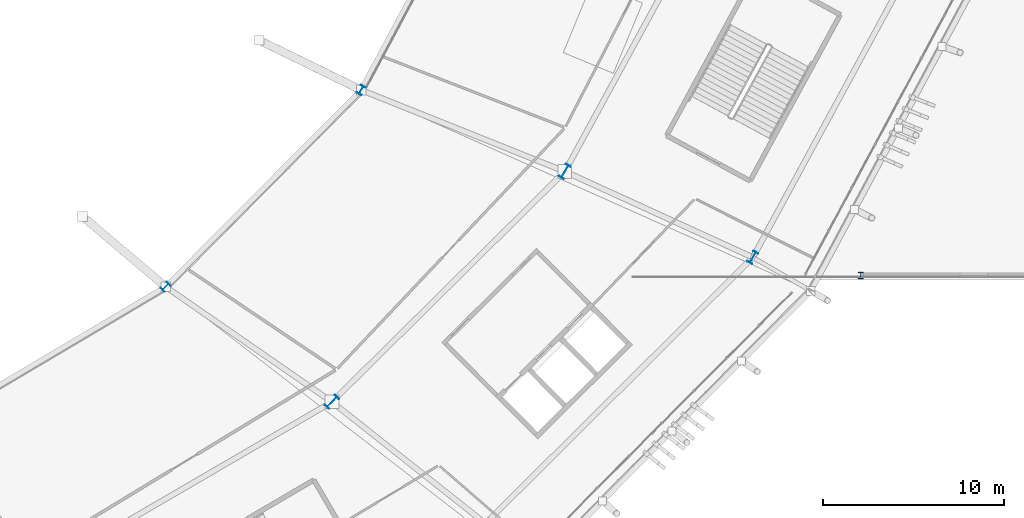
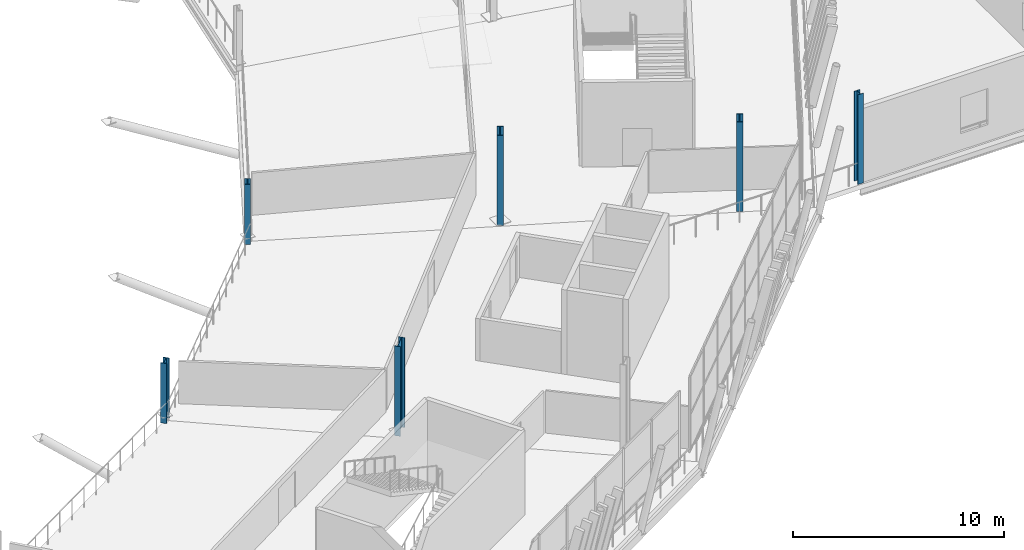
# One storey, part 10 of 168: 6 columns.
"""IFC4 building model written with IfcOpenShell, lengths in metres."""

from ifc_helpers import new_model, si_unit, direction, frame, origin, origin_2d, place, context, subcontext, project, spatial, i_section, extrude, material, material_profile, profile_set, type_object, element, save


model = new_model("IFC4")

# Units and contexts
model_context = context("Model", 3, precision=1e-05, world=origin(), true_north=direction((0.0, 1.0)))
body_context = subcontext(model_context, "Body", "Model", "MODEL_VIEW")
ifc_project = project(units=[si_unit("LENGTHUNIT", "METRE"), si_unit("AREAUNIT", "SQUARE_METRE"), si_unit("VOLUMEUNIT", "CUBIC_METRE"), si_unit("PLANEANGLEUNIT", "RADIAN"), si_unit("MASSUNIT", "GRAM", prefix="KILO")], contexts=[model_context])

# Site, building, storey
site_placement = place(None, origin())
site = spatial("IfcSite", under=ifc_project, at=site_placement, CompositionType="ELEMENT")
building_placement = place(site_placement, origin())
building = spatial("IfcBuilding", under=site, at=building_placement, Name="Zlatoyarsky Gate Stadium", CompositionType="ELEMENT")
storey_placement = place(building_placement, frame((0.0, 0.0, 15.60009765625)))
storey = spatial("IfcBuildingStorey", under=building, at=storey_placement, Name="L03", CompositionType="ELEMENT", Elevation=15.60009765625)

# Columns
ifc_material = material(Name="Steel S355", Category="steel")
ifc_material_profile_1 = material_profile(ifc_material, i_section(OverallWidth=0.300048828125, OverallDepth=0.360107421875, WebThickness=0.012451171875, FlangeThickness=0.0224609375, FilletRadius=0.027099609375, at=origin_2d()), Name="HEB 360")
ifc_profile_set_1 = profile_set([ifc_material_profile_1], Name="Steel S355")
column_type_1 = type_object("IfcColumnType", Name="STEEL COLUMN HEB 360", PredefinedType="COLUMN", material=ifc_profile_set_1)
column_1_placement = place(storey_placement, frame((197.5, 43.5, 0.0), z_axis=(0.0, 0.0, 1.0), x_axis=(1.0, 0.0, 0.0)))
element("IfcColumn", 1, at=column_1_placement, inside=storey, type_object=column_type_1, Name="Column ST-C360 WG-17-E on L03", PredefinedType="COLUMN", context=body_context, shape_type="SweptSolid", body=[
    extrude(i_section(OverallWidth=0.300048828125, OverallDepth=0.360107421875, WebThickness=0.012451171875, FlangeThickness=0.0224609375, FilletRadius=0.027099609375, at=origin_2d()), origin(), (0.0, 0.0, 1.0), 5.199951171875),
])
ifc_material_profile_2 = material_profile(ifc_material, i_section(OverallWidth=0.300048828125, OverallDepth=0.5, WebThickness=0.014404296875, FlangeThickness=0.028076171875, FilletRadius=0.027099609375, at=origin_2d()), Name="HEB 500")
ifc_profile_set_2 = profile_set([ifc_material_profile_2], Name="Steel S355")
column_type_2 = type_object("IfcColumnType", Name="STEEL COLUMN HEB 500", PredefinedType="COLUMN", material=ifc_profile_set_2)
for number, where, z_axis, x_axis, name in (
    (2, (159.083251953125, 42.876953125, 0.0), (0.0, 0.0, 1.0), (0.707106781187, -0.707106781187, 0.0), "Column ST-C500 RA-21 on L03"),
    (3, (169.8896484375, 53.75, 0.0), (0.0, 0.0, 1.0), (0.866025403784, -0.5, 0.0), "Column ST-C500 RA-22 on L03"),
):
    element("IfcColumn", number, at=place(storey_placement, frame(where, z_axis=z_axis, x_axis=x_axis)), inside=storey, type_object=column_type_2, Name=name, PredefinedType="COLUMN", context=body_context, shape_type="SweptSolid", body=[
        extrude(i_section(OverallWidth=0.300048828125, OverallDepth=0.5, WebThickness=0.014404296875, FlangeThickness=0.028076171875, FilletRadius=0.027099609375, at=origin_2d()), origin(), (0.0, 0.0, 1.0), 3.47998046875),
    ])
ifc_material_profile_3 = material_profile(ifc_material, i_section(OverallWidth=0.300048828125, OverallDepth=0.699951171875, WebThickness=0.01708984375, FlangeThickness=0.031982421875, FilletRadius=0.027099609375, at=origin_2d()), Name="HEB 700")
ifc_profile_set_3 = profile_set([ifc_material_profile_3], Name="Steel S355")
column_type_3 = type_object("IfcColumnType", Name="STEEL COLUMN HEB 700", PredefinedType="COLUMN", material=ifc_profile_set_3)
column_2_placement = place(storey_placement, frame((191.540283203125, 44.5, 0.0), z_axis=(0.0, 0.0, 1.0), x_axis=(0.866025403784, -0.5, 0.0)))
element("IfcColumn", 4, at=column_2_placement, inside=storey, type_object=column_type_3, Name="Column ST-C700 RC-22 on L03", PredefinedType="COLUMN", context=body_context, shape_type="SweptSolid", body=[
    extrude(i_section(OverallWidth=0.300048828125, OverallDepth=0.699951171875, WebThickness=0.01708984375, FlangeThickness=0.031982421875, FilletRadius=0.027099609375, at=origin_2d()), origin(), (0.0, 0.0, 1.0), 5.199951171875),
])
ifc_material_profile_4 = material_profile(ifc_material, i_section(OverallWidth=0.300048828125, OverallDepth=0.800048828125, WebThickness=0.017578125, FlangeThickness=0.032958984375, FilletRadius=0.030029296875, at=origin_2d()), Name="HEB 800")
ifc_profile_set_4 = profile_set([ifc_material_profile_4], Name="Steel S355")
column_type_4 = type_object("IfcColumnType", Name="STEEL COLUMN HEB 800", PredefinedType="COLUMN", material=ifc_profile_set_4)
for number, where, z_axis, x_axis, name in (
    (5, (168.275634765625, 36.512939453125, 0.0), (0.0, 0.0, 1.0), (0.707106781187, -0.707106781187, 0.0), "Column ST-C800 RB-21 on L03"),
    (6, (181.148193359375, 49.25, 0.0), (0.0, 0.0, 1.0), (0.866025403784, -0.5, 0.0), "Column ST-C800 RB-22 on L03"),
):
    element("IfcColumn", number, at=place(storey_placement, frame(where, z_axis=z_axis, x_axis=x_axis)), inside=storey, type_object=column_type_4, Name=name, PredefinedType="COLUMN", context=body_context, shape_type="SweptSolid", body=[
        extrude(i_section(OverallWidth=0.300048828125, OverallDepth=0.800048828125, WebThickness=0.017578125, FlangeThickness=0.032958984375, FilletRadius=0.030029296875, at=origin_2d()), origin(), (0.0, 0.0, 1.0), 5.199951171875),
    ])

save(model, "model.ifc")
